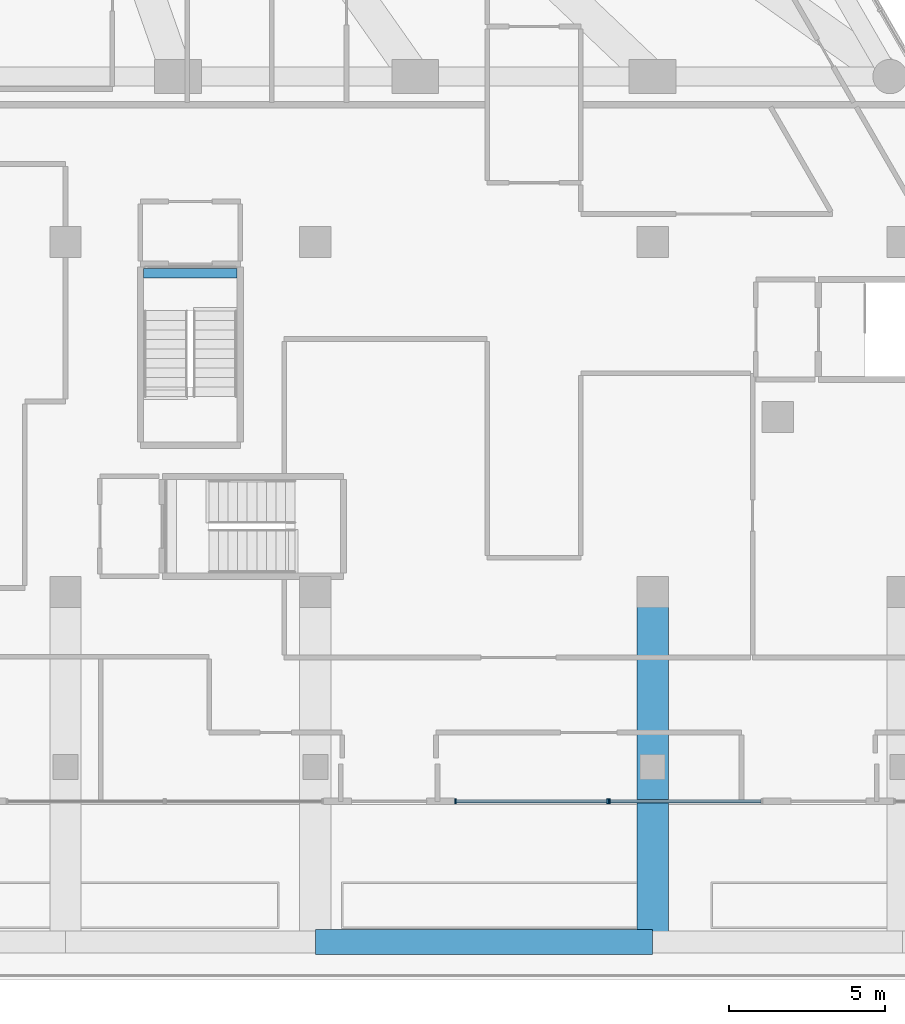
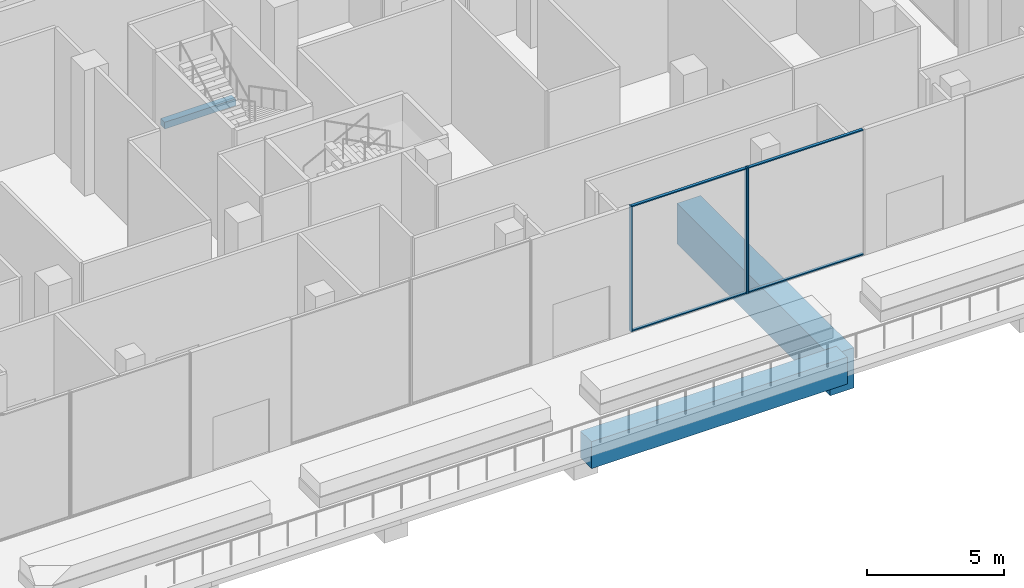
# One storey, part 7 of 36: 7 members, 3 beams, 2 elements without a shape of their own.
"""IFC4 building model written with IfcOpenShell, lengths in metres."""

from ifc_helpers import new_model, si_unit, direction, frame, origin, origin_2d, place, context, subcontext, project, spatial, rectangle, extrude, material, layer, layer_set, material_profile, profile_set, type_object, element, aggregate, save


model = new_model("IFC4")

# Units and contexts
model_context = context("Model", 3, precision=1e-05, world=origin(), true_north=direction((0.0, 1.0)))
body_context = subcontext(model_context, "Body", "Model", "MODEL_VIEW")
ifc_project = project(units=[si_unit("LENGTHUNIT", "METRE"), si_unit("AREAUNIT", "SQUARE_METRE"), si_unit("VOLUMEUNIT", "CUBIC_METRE"), si_unit("PLANEANGLEUNIT", "RADIAN"), si_unit("MASSUNIT", "GRAM", prefix="KILO")], contexts=[model_context])

# Site, building, storey
site_placement = place(None, origin())
site = spatial("IfcSite", under=ifc_project, at=site_placement, CompositionType="ELEMENT")
building_placement = place(site_placement, origin())
building = spatial("IfcBuilding", under=site, at=building_placement, Name="Triada Interchange Tower", CompositionType="ELEMENT")
storey_placement = place(building_placement, frame((0.0, 0.0, 8.5)))
storey = spatial("IfcBuildingStorey", under=building, at=storey_placement, Name="L01", CompositionType="ELEMENT", Elevation=8.5)

# Beam
ifc_material_1 = material(Name="Concrete C35/45", Category="concrete")
ifc_material_profile_1 = material_profile(ifc_material_1, rectangle(XDim=0.300048828125, YDim=0.300048828125, at=origin_2d()), Name="RC 300x300")
ifc_profile_set_1 = profile_set([ifc_material_profile_1], Name="Concrete C35/45")
beam_type_1 = type_object("IfcBeamType", Name="Landing support beam RC 300x300", PredefinedType="BEAM", material=ifc_profile_set_1)
beam_1_placement = place(storey_placement, frame((9.5, -27.89990234375, 2.491943359375), z_axis=(-1.0, 0.0, 0.0), x_axis=(0.0, -1.0, 0.0)))
element("IfcBeam", 1, at=beam_1_placement, inside=storey, type_object=beam_type_1, Name="Landing support beam S01-10 1", PredefinedType="BEAM", context=body_context, shape_type="SweptSolid", body=[
    extrude(rectangle(XDim=0.300048828125, YDim=0.300048828125, at=origin_2d()), origin(), (0.0, 0.0, 1.0), 3.0),
])

# Curtain wall, members
ifc_material_2 = material(Name="Aluminium framed glazing", Category="aluminium")
ifc_layer = layer(ifc_material_2, 0.199951171875)
ifc_layer_set = layer_set([ifc_layer], Name="Curtain wall Retail shopfront")
curtain_wall_type = type_object("IfcCurtainWallType", Name="Curtain wall Retail shopfront", PredefinedType="NOTDEFINED", material=ifc_layer_set)
curtain_wall_1_placement = place(storey_placement, origin())
curtain_wall_1 = element("IfcCurtainWall", 2, at=curtain_wall_1_placement, inside=storey, type_object=curtain_wall_type, Name="Retail shopfront CW008 L01", PredefinedType="NOTDEFINED")
ifc_material_3 = material(Name="Aluminium", Category="aluminium")
ifc_material_profile_2 = material_profile(ifc_material_3, rectangle(XDim=0.14990234375, YDim=0.050048828125, at=origin_2d()), Name="Aluminium mullion")
ifc_profile_set_2 = profile_set([ifc_material_profile_2], Name="Aluminium")
member_type_1 = type_object("IfcMemberType", Name="Mullion Retail shopfront 150x50", PredefinedType="MULLION", material=ifc_profile_set_2)
member_1_placement = place(storey_placement, frame((16.485107421875, -44.800048828125, 0.0), z_axis=(0.0, 0.0, 1.0), x_axis=(0.0, 1.0, 0.0)))
member_1 = element("IfcMember", 3, at=member_1_placement, type_object=member_type_1, Name="CW008 mullion 1", PredefinedType="MULLION", context=body_context, shape_type="SweptSolid", body=[
    extrude(rectangle(XDim=0.14990234375, YDim=0.050048828125, at=origin_2d()), origin(), (0.0, 0.0, 1.0), 5.60009765625),
])
member_2_placement = place(storey_placement, frame((21.360107421875, -44.800048828125, 0.0), z_axis=(0.0, 0.0, 1.0), x_axis=(0.0, 1.0, 0.0)))
member_2 = element("IfcMember", 4, at=member_2_placement, type_object=member_type_1, Name="CW008 mullion 2", PredefinedType="MULLION", context=body_context, shape_type="SweptSolid", body=[
    extrude(rectangle(XDim=0.14990234375, YDim=0.050048828125, at=origin_2d()), origin(), (0.0, 0.0, 1.0), 5.60009765625),
])

# Curtain wall, member
curtain_wall_2_placement = place(storey_placement, origin())
curtain_wall_2 = element("IfcCurtainWall", 5, at=curtain_wall_2_placement, inside=storey, type_object=curtain_wall_type, Name="Retail shopfront CW009 L01", PredefinedType="NOTDEFINED")
member_3_placement = place(storey_placement, frame((21.419921875, -44.800048828125, 0.0), z_axis=(0.0, 0.0, 1.0), x_axis=(0.0, 1.0, 0.0)))
member_3 = element("IfcMember", 6, at=member_3_placement, type_object=member_type_1, Name="CW009 mullion 1", PredefinedType="MULLION", context=body_context, shape_type="SweptSolid", body=[
    extrude(rectangle(XDim=0.14990234375, YDim=0.050048828125, at=origin_2d()), origin(), (0.0, 0.0, 1.0), 5.60009765625),
])

# Beams
ifc_material_4 = material(Name="Concrete C40/50", Category="concrete")
ifc_material_profile_3 = material_profile(ifc_material_4, rectangle(XDim=0.800048828125, YDim=1.199951171875, at=origin_2d()), Name="RC 800x1200")
ifc_profile_set_3 = profile_set([ifc_material_profile_3], Name="Concrete C40/50")
beam_type_2 = type_object("IfcBeamType", Name="Terrace beam RC 800x1200", PredefinedType="BEAM", material=ifc_profile_set_3)
beam_2_placement = place(storey_placement, frame((12.0, -49.300048828125, -1.0), z_axis=(1.0, 0.0, 0.0), x_axis=(0.0, 1.0, 0.0)))
element("IfcBeam", 7, at=beam_2_placement, inside=storey, type_object=beam_type_2, Name="Terrace beam TE12 L01", PredefinedType="BEAM", context=body_context, shape_type="SweptSolid", body=[
    extrude(rectangle(XDim=0.800048828125, YDim=1.199951171875, at=origin_2d()), origin(), (0.0, 0.0, 1.0), 10.800048828125),
])
ifc_material_5 = material(Name="Concrete C50/60", Category="concrete")
ifc_material_profile_4 = material_profile(ifc_material_5, rectangle(XDim=1.0, YDim=1.800048828125, at=origin_2d()), Name="RC 1000x1800")
ifc_profile_set_4 = profile_set([ifc_material_profile_4], Name="Concrete C50/60")
beam_type_3 = type_object("IfcBeamType", Name="Transfer girder RC 1000x1800", PredefinedType="BEAM", material=ifc_profile_set_4)
beam_3_placement = place(storey_placement, frame((22.800048828125, -49.300048828125, -1.300048828125), z_axis=(0.0, 1.0, 0.0), x_axis=(-1.0, 0.0, 0.0)))
element("IfcBeam", 8, at=beam_3_placement, inside=storey, type_object=beam_type_3, Name="Transfer girder TG11 L01", PredefinedType="BEAM", context=body_context, shape_type="SweptSolid", body=[
    extrude(rectangle(XDim=1.0, YDim=1.800048828125, at=origin_2d()), origin(), (0.0, 0.0, 1.0), 11.199951171875),
])

# Member
ifc_material_profile_5 = material_profile(ifc_material_3, rectangle(XDim=0.1201171875, YDim=0.050048828125, at=origin_2d()), Name="Aluminium transom")
ifc_profile_set_5 = profile_set([ifc_material_profile_5], Name="Aluminium")
member_type_2 = type_object("IfcMemberType", Name="Transom Retail shopfront 120x50", PredefinedType="USERDEFINED", material=ifc_profile_set_5)
member_4_placement = place(storey_placement, frame((16.510009765625, -44.800048828125, 0.02490234375), z_axis=(1.0, 0.0, 0.0), x_axis=(0.0, 1.0, 0.0)))
member_4 = element("IfcMember", 9, at=member_4_placement, type_object=member_type_2, Name="CW008 transom 1.1", ObjectType="TRANSOM", PredefinedType="USERDEFINED", context=body_context, shape_type="SweptSolid", body=[
    extrude(rectangle(XDim=0.1201171875, YDim=0.050048828125, at=origin_2d()), origin(), (0.0, 0.0, 1.0), 4.824951171875),
])

member_5_placement = place(storey_placement, frame((16.510009765625, -44.800048828125, 5.574951171875), z_axis=(1.0, 0.0, 0.0), x_axis=(0.0, 1.0, 0.0)))
member_5 = element("IfcMember", 10, at=member_5_placement, type_object=member_type_2, Name="CW008 transom 1.2", ObjectType="TRANSOM", PredefinedType="USERDEFINED", context=body_context, shape_type="SweptSolid", body=[
    extrude(rectangle(XDim=0.1201171875, YDim=0.050048828125, at=origin_2d()), origin(), (0.0, 0.0, 1.0), 4.824951171875),
])

aggregate(curtain_wall_1, [member_1, member_2, member_4, member_5])

member_6_placement = place(storey_placement, frame((21.445068359375, -44.800048828125, 0.02490234375), z_axis=(1.0, 0.0, 0.0), x_axis=(0.0, 1.0, 0.0)))
member_6 = element("IfcMember", 11, at=member_6_placement, type_object=member_type_2, Name="CW009 transom 1.1", ObjectType="TRANSOM", PredefinedType="USERDEFINED", context=body_context, shape_type="SweptSolid", body=[
    extrude(rectangle(XDim=0.1201171875, YDim=0.050048828125, at=origin_2d()), origin(), (0.0, 0.0, 1.0), 4.824951171875),
])

member_7_placement = place(storey_placement, frame((21.445068359375, -44.800048828125, 5.574951171875), z_axis=(1.0, 0.0, 0.0), x_axis=(0.0, 1.0, 0.0)))
member_7 = element("IfcMember", 12, at=member_7_placement, type_object=member_type_2, Name="CW009 transom 1.2", ObjectType="TRANSOM", PredefinedType="USERDEFINED", context=body_context, shape_type="SweptSolid", body=[
    extrude(rectangle(XDim=0.1201171875, YDim=0.050048828125, at=origin_2d()), origin(), (0.0, 0.0, 1.0), 4.824951171875),
])

aggregate(curtain_wall_2, [member_3, member_6, member_7])

save(model, "model.ifc")
